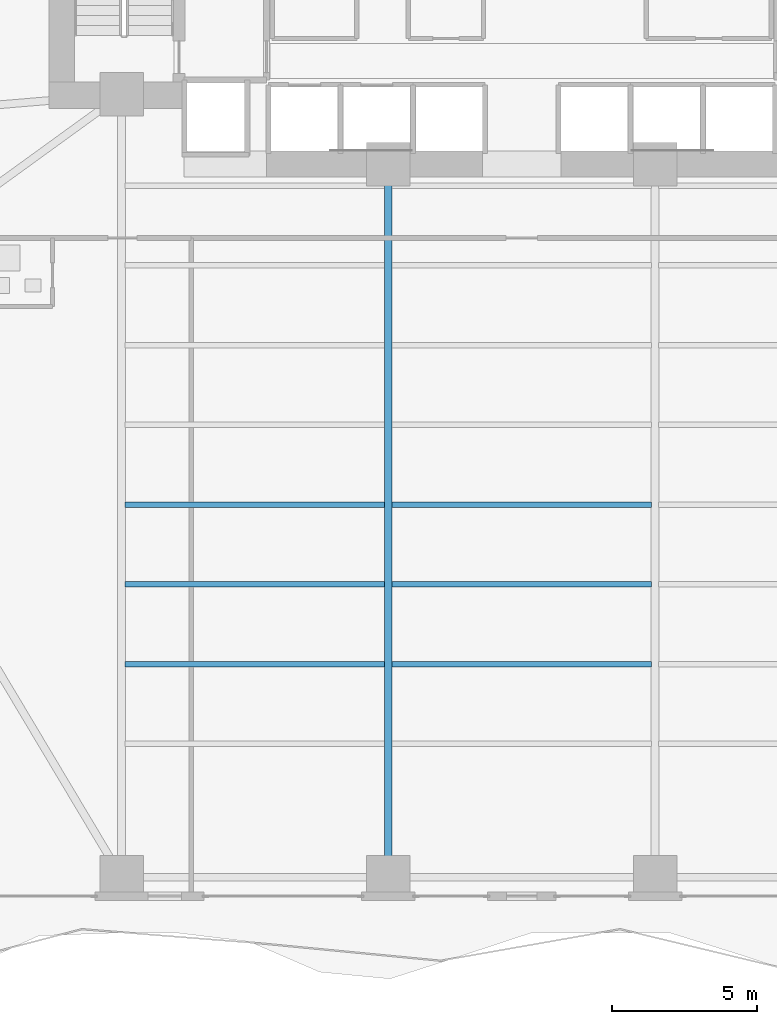
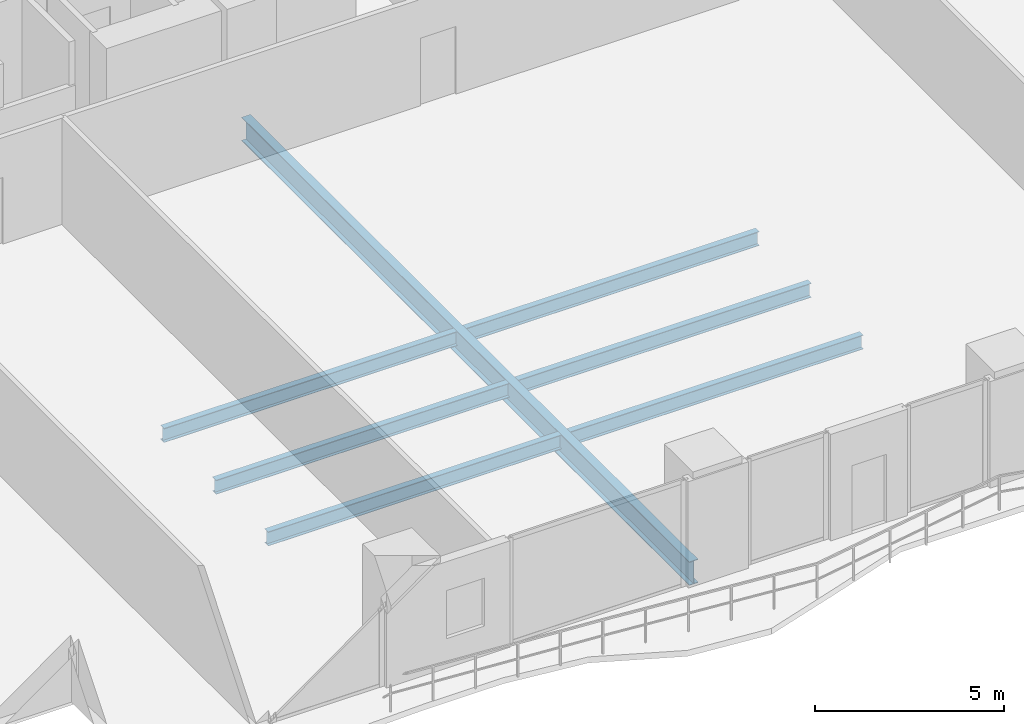
# One storey, part 5 of 28: 7 beams.
"""IFC4 building model written with IfcOpenShell, lengths in metres."""

from ifc_helpers import new_model, si_unit, direction, frame, origin, origin_2d, place, context, subcontext, project, spatial, i_section, extrude, material, material_profile, profile_set, type_object, element, save


model = new_model("IFC4")

# Units and contexts
model_context = context("Model", 3, precision=1e-05, world=origin(), true_north=direction((0.0, 1.0)))
body_context = subcontext(model_context, "Body", "Model", "MODEL_VIEW")
ifc_project = project(units=[si_unit("LENGTHUNIT", "METRE"), si_unit("AREAUNIT", "SQUARE_METRE"), si_unit("VOLUMEUNIT", "CUBIC_METRE"), si_unit("PLANEANGLEUNIT", "RADIAN"), si_unit("MASSUNIT", "GRAM", prefix="KILO")], contexts=[model_context])

# Site, building, storey
site_placement = place(None, origin())
site = spatial("IfcSite", under=ifc_project, at=site_placement, CompositionType="ELEMENT")
building_placement = place(site_placement, origin())
building = spatial("IfcBuilding", under=site, at=building_placement, Name="Zuhayl Quay Hotel", CompositionType="ELEMENT")
storey_placement = place(building_placement, frame((0.0, 0.0, 71.39990234375)))
storey = spatial("IfcBuildingStorey", under=building, at=storey_placement, Name="L17", CompositionType="ELEMENT", Elevation=71.39990234375)

# Beams
ifc_material = material(Name="Steel ASTM A992 Grade 50", Category="steel")
ifc_material_profile_1 = material_profile(ifc_material, i_section(OverallWidth=0.26708984375, OverallDepth=0.761962890625, WebThickness=0.014404296875, FlangeThickness=0.021484375, at=origin_2d()), Name="W30X116")
ifc_profile_set_1 = profile_set([ifc_material_profile_1], Name="Steel ASTM A992 Grade 50")
beam_type_1 = type_object("IfcBeamType", Name="BM_B1_W30X116", PredefinedType="BEAM", material=ifc_profile_set_1)
beam_1_placement = place(storey_placement, frame((-4.60009765625, -21.949951171875, -0.600830078125), z_axis=(0.0, 1.0, 0.0), x_axis=(-1.0, 0.0, 0.0)))
element("IfcBeam", 1, at=beam_1_placement, inside=storey, type_object=beam_type_1, Name="L17 Floor Beam FG_S_L17_2", PredefinedType="BEAM", context=body_context, shape_type="SweptSolid", body=[
    extrude(i_section(OverallWidth=0.26708984375, OverallDepth=0.761962890625, WebThickness=0.014404296875, FlangeThickness=0.021484375, at=origin_2d()), origin(), (0.0, 0.0, 1.0), 23.64990234375),
])
ifc_material_profile_2 = material_profile(ifc_material, i_section(OverallWidth=0.18994140625, OverallDepth=0.45703125, WebThickness=0.009033203125, FlangeThickness=0.014404296875, at=origin_2d()), Name="W18X50")
ifc_profile_set_2 = profile_set([ifc_material_profile_2], Name="Steel ASTM A992 Grade 50")
beam_type_2 = type_object("IfcBeamType", Name="BM_J2_W18X50", PredefinedType="JOIST", material=ifc_profile_set_2)
beam_2_placement = place(storey_placement, frame((-13.674560546875, -15.10009765625, -0.448486328125), z_axis=(1.0, 0.0, 0.0), x_axis=(0.0, 1.0, 0.0)))
element("IfcBeam", 2, at=beam_2_placement, inside=storey, type_object=beam_type_2, Name="L17 Floor Beam FJ_L17_4_1", PredefinedType="JOIST", context=body_context, shape_type="SweptSolid", body=[
    extrude(i_section(OverallWidth=0.18994140625, OverallDepth=0.45703125, WebThickness=0.009033203125, FlangeThickness=0.014404296875, at=origin_2d()), origin(), (0.0, 0.0, 1.0), 8.948974609375),
])
beam_3_placement = place(storey_placement, frame((-4.474609375, -15.10009765625, -0.448486328125), z_axis=(1.0, 0.0, 0.0), x_axis=(0.0, 1.0, 0.0)))
element("IfcBeam", 3, at=beam_3_placement, inside=storey, type_object=beam_type_2, Name="L17 Floor Beam FJ_L17_4_2", PredefinedType="JOIST", context=body_context, shape_type="SweptSolid", body=[
    extrude(i_section(OverallWidth=0.18994140625, OverallDepth=0.45703125, WebThickness=0.009033203125, FlangeThickness=0.014404296875, at=origin_2d()), origin(), (0.0, 0.0, 1.0), 8.94921875),
])
beam_4_placement = place(storey_placement, frame((-13.674560546875, -12.35009765625, -0.448486328125), z_axis=(1.0, 0.0, 0.0), x_axis=(0.0, 1.0, 0.0)))
element("IfcBeam", 4, at=beam_4_placement, inside=storey, type_object=beam_type_2, Name="L17 Floor Beam FJ_L17_5_1", PredefinedType="JOIST", context=body_context, shape_type="SweptSolid", body=[
    extrude(i_section(OverallWidth=0.18994140625, OverallDepth=0.45703125, WebThickness=0.009033203125, FlangeThickness=0.014404296875, at=origin_2d()), origin(), (0.0, 0.0, 1.0), 8.948974609375),
])
beam_5_placement = place(storey_placement, frame((-4.474609375, -12.35009765625, -0.448486328125), z_axis=(1.0, 0.0, 0.0), x_axis=(0.0, 1.0, 0.0)))
element("IfcBeam", 5, at=beam_5_placement, inside=storey, type_object=beam_type_2, Name="L17 Floor Beam FJ_L17_5_2", PredefinedType="JOIST", context=body_context, shape_type="SweptSolid", body=[
    extrude(i_section(OverallWidth=0.18994140625, OverallDepth=0.45703125, WebThickness=0.009033203125, FlangeThickness=0.014404296875, at=origin_2d()), origin(), (0.0, 0.0, 1.0), 8.94921875),
])
beam_6_placement = place(storey_placement, frame((-13.674560546875, -9.60009765625, -0.448486328125), z_axis=(1.0, 0.0, 0.0), x_axis=(0.0, 1.0, 0.0)))
element("IfcBeam", 6, at=beam_6_placement, inside=storey, type_object=beam_type_2, Name="L17 Floor Beam FJ_L17_6_1", PredefinedType="JOIST", context=body_context, shape_type="SweptSolid", body=[
    extrude(i_section(OverallWidth=0.18994140625, OverallDepth=0.45703125, WebThickness=0.009033203125, FlangeThickness=0.014404296875, at=origin_2d()), origin(), (0.0, 0.0, 1.0), 8.948974609375),
])
beam_7_placement = place(storey_placement, frame((-4.474609375, -9.60009765625, -0.448486328125), z_axis=(1.0, 0.0, 0.0), x_axis=(0.0, 1.0, 0.0)))
element("IfcBeam", 7, at=beam_7_placement, inside=storey, type_object=beam_type_2, Name="L17 Floor Beam FJ_L17_6_2", PredefinedType="JOIST", context=body_context, shape_type="SweptSolid", body=[
    extrude(i_section(OverallWidth=0.18994140625, OverallDepth=0.45703125, WebThickness=0.009033203125, FlangeThickness=0.014404296875, at=origin_2d()), origin(), (0.0, 0.0, 1.0), 8.94921875),
])

save(model, "model.ifc")
